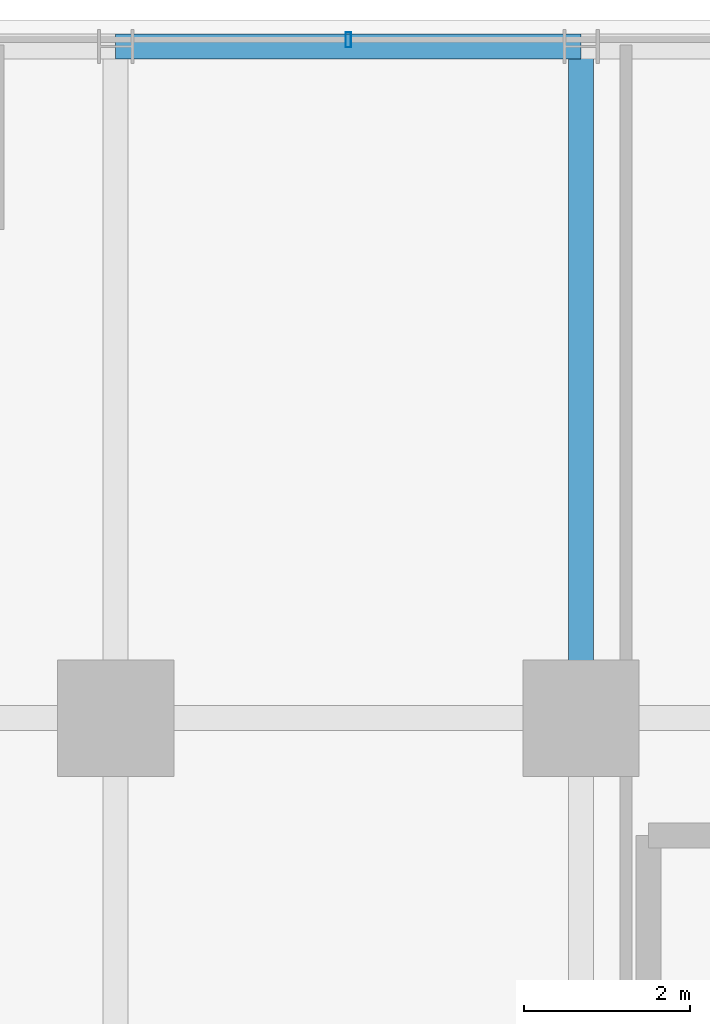
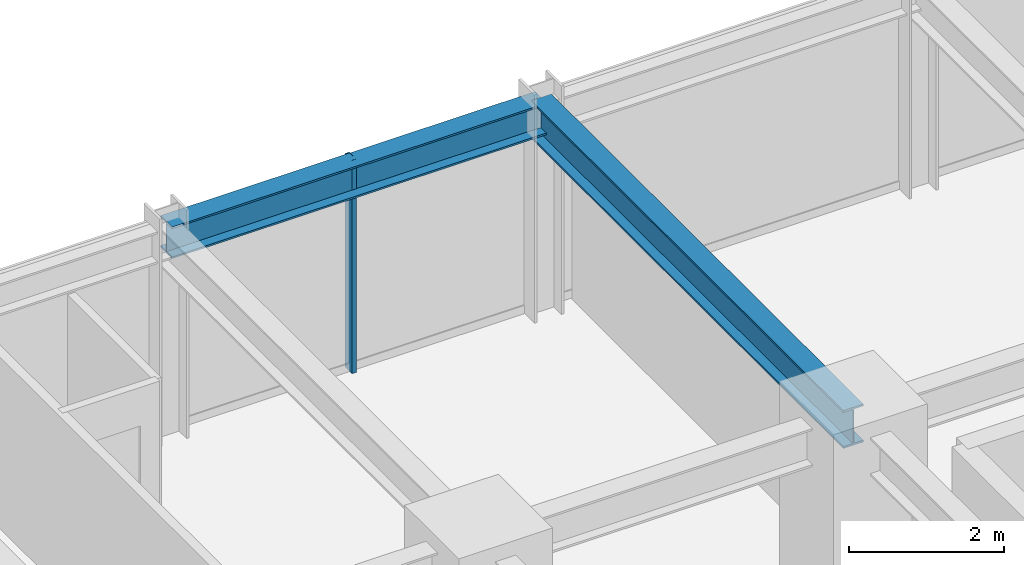
# One storey, part 24 of 37: 2 beams, 1 member, 1 element without a shape of its own.
"""IFC4 building model written with IfcOpenShell, lengths in metres."""

from ifc_helpers import new_model, si_unit, direction, frame, origin, origin_2d, place, context, subcontext, project, spatial, hollow_rectangle, i_section, extrude, source, transform, mapped, material, material_profile, profile_set, type_object, element, aggregate, save


model = new_model("IFC4")

# Units and contexts
model_context = context("Model", 3, precision=1e-05, world=origin(), true_north=direction((0.0, 1.0)))
body_context = subcontext(model_context, "Body", "Model", "MODEL_VIEW")
ifc_project = project(units=[si_unit("LENGTHUNIT", "METRE"), si_unit("AREAUNIT", "SQUARE_METRE"), si_unit("VOLUMEUNIT", "CUBIC_METRE"), si_unit("PLANEANGLEUNIT", "RADIAN"), si_unit("MASSUNIT", "GRAM", prefix="KILO")], contexts=[model_context])

# Site, building, storey
site_placement = place(None, origin())
site = spatial("IfcSite", under=ifc_project, at=site_placement, CompositionType="ELEMENT")
building_placement = place(site_placement, origin())
building = spatial("IfcBuilding", under=site, at=building_placement, Name="Nahalor Promenade Grand Hotel", CompositionType="ELEMENT")
storey_placement = place(building_placement, frame((0.0, 0.0, 36.050048828125)))
storey = spatial("IfcBuildingStorey", under=building, at=storey_placement, Name="L07", CompositionType="ELEMENT", Elevation=36.050048828125)

# Beams
ifc_material_1 = material(Name="Steel S355JR", Category="steel")
ifc_material_profile_1 = material_profile(ifc_material_1, i_section(OverallWidth=0.3, OverallDepth=0.5, WebThickness=0.0145, FlangeThickness=0.028, at=origin_2d()), Name="HEB 500")
ifc_profile_set_1 = profile_set([ifc_material_profile_1], Name="Steel S355JR")
beam_type_1 = type_object("IfcBeamType", Name="Beam-Spandrel-HEB500", PredefinedType="SPANDREL", material=ifc_profile_set_1)
shared_shape_1 = source(origin(), body_context, "Body", "SweptSolid", [
    extrude(i_section(OverallWidth=0.3, OverallDepth=0.5, WebThickness=0.0145, FlangeThickness=0.028, at=origin_2d()), origin(), (0.0, 0.0, 1.0), 5.60009765625),
])
beam_1_placement = place(storey_placement, frame((-2.800048828125, 25.080078125, 3.119873046875), z_axis=(1.0, 0.0, 0.0), x_axis=(0.0, 1.0, 0.0)))
element("IfcBeam", 1, at=beam_1_placement, inside=storey, type_object=beam_type_1, Name="BM-L07-SP-N-2", PredefinedType="SPANDREL", context=body_context, shape_type="MappedRepresentation", body=[
    mapped(shared_shape_1, transform((0.0, 0.0, 0.0), scale=1.0)),
])
ifc_material_profile_2 = material_profile(ifc_material_1, i_section(OverallWidth=0.3, OverallDepth=0.6, WebThickness=0.0155, FlangeThickness=0.03, at=origin_2d()), Name="HEB 600")
ifc_profile_set_2 = profile_set([ifc_material_profile_2], Name="Steel S355JR")
beam_type_2 = type_object("IfcBeamType", Name="Beam-Girder-HEB600", PredefinedType="BEAM", material=ifc_profile_set_2)
shared_shape_2 = source(origin(), body_context, "Body", "SweptSolid", [
    extrude(i_section(OverallWidth=0.3, OverallDepth=0.6, WebThickness=0.0155, FlangeThickness=0.03, at=origin_2d()), origin(), (0.0, 0.0, 1.0), 8.080078125),
])
beam_2_placement = place(storey_placement, frame((2.800048828125, 17.0, 3.070068359375), z_axis=(0.0, 1.0, 0.0), x_axis=(-1.0, 0.0, 0.0)))
element("IfcBeam", 2, at=beam_2_placement, inside=storey, type_object=beam_type_2, Name="BM-L07-GY-3-4", PredefinedType="BEAM", context=body_context, shape_type="MappedRepresentation", body=[
    mapped(shared_shape_2, transform((0.0, 0.0, 0.0), scale=1.0)),
])

# Curtain wall, member
ifc_material_2 = material(Name="Anodised Bronze Aluminium EN AW-6063 T6", Category="aluminium")
curtain_wall_type = type_object("IfcCurtainWallType", Name="CW2 Typical Hotel Flush Bronze Unitised Curtain Wall", PredefinedType="USERDEFINED", material=ifc_material_2)
curtain_wall_placement = place(storey_placement, origin())
curtain_wall = element("IfcCurtainWall", 3, at=curtain_wall_placement, inside=storey, type_object=curtain_wall_type, Name="L07 Curtain Wall CW-L07-N-1", ObjectType="UNITISED_CURTAIN_WALL", PredefinedType="USERDEFINED")
ifc_material_profile_3 = material_profile(ifc_material_2, hollow_rectangle(XDim=0.065, YDim=0.18, WallThickness=0.004, at=origin_2d()), Name="CWM 65x180x4")
ifc_profile_set_3 = profile_set([ifc_material_profile_3], Name="Anodised Bronze Aluminium EN AW-6063 T6")
member_type = type_object("IfcMemberType", Name="CWM2 Typical Bronze Mullion 65x180", PredefinedType="MULLION", material=ifc_profile_set_3)
shared_shape_3 = source(origin(), body_context, "Body", "SweptSolid", [
    extrude(hollow_rectangle(XDim=0.065, YDim=0.18, WallThickness=0.004, at=origin_2d()), origin(), (0.0, 0.0, 1.0), 3.369873046875),
])
member_placement = place(storey_placement, frame((0.0, 25.159912109375, 0.0), z_axis=(0.0, 0.0, 1.0), x_axis=(1.0, 0.0, 0.0)))
member = element("IfcMember", 4, at=member_placement, type_object=member_type, Name="CW-L07-N-1 Mullion 2", PredefinedType="MULLION", context=body_context, shape_type="MappedRepresentation", body=[
    mapped(shared_shape_3, transform((0.0, 0.0, 0.0), scale=1.0)),
])
aggregate(curtain_wall, [member])

save(model, "model.ifc")
